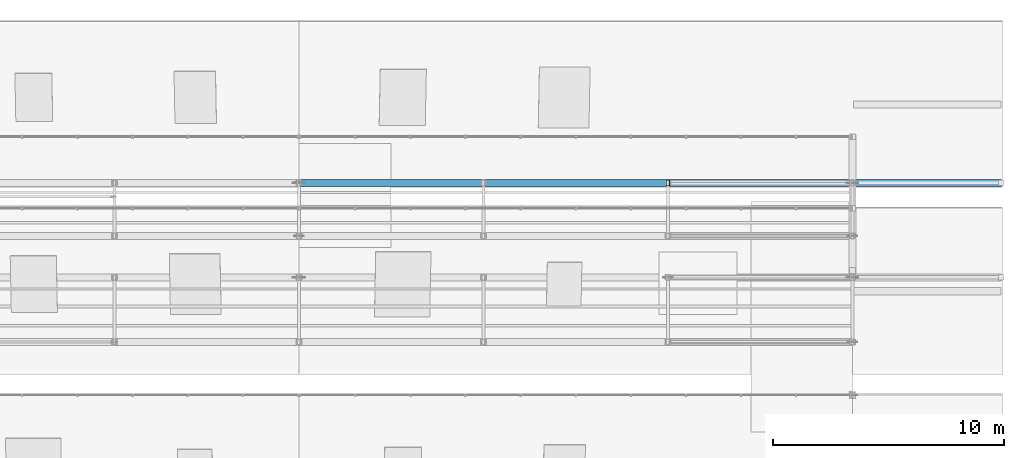
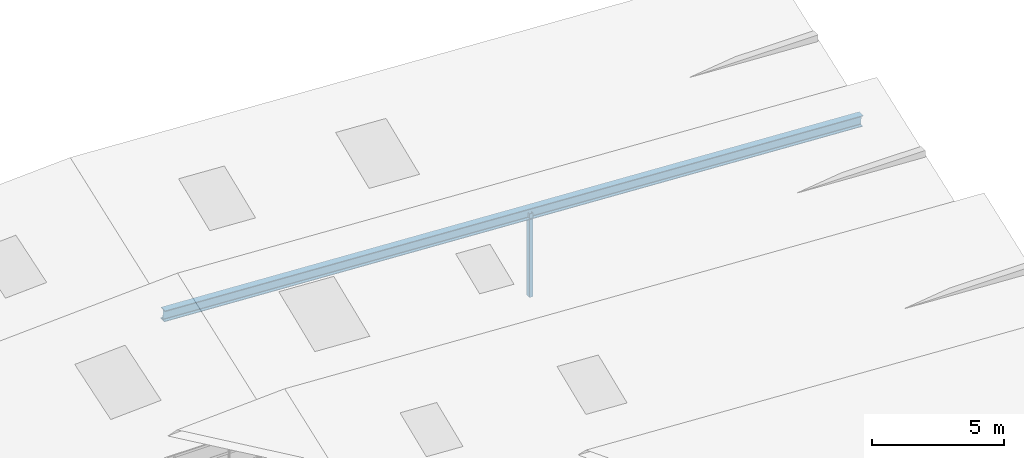
# One storey, part 124 of 141: 2 members.
"""IFC4 building model written with IfcOpenShell, lengths in metres."""

from ifc_helpers import new_model, si_unit, direction, frame, origin, origin_2d, place, context, subcontext, project, spatial, hollow_rectangle, i_section, extrude, material, material_profile, profile_set, type_object, element, save


model = new_model("IFC4")

# Units and contexts
model_context = context("Model", 3, precision=1e-05, world=origin(), true_north=direction((0.0, 1.0)))
body_context = subcontext(model_context, "Body", "Model", "MODEL_VIEW")
ifc_project = project(units=[si_unit("LENGTHUNIT", "METRE"), si_unit("AREAUNIT", "SQUARE_METRE"), si_unit("VOLUMEUNIT", "CUBIC_METRE"), si_unit("PLANEANGLEUNIT", "RADIAN"), si_unit("MASSUNIT", "GRAM", prefix="KILO")], contexts=[model_context])

# Site, building, storey
site_placement = place(None, origin())
site = spatial("IfcSite", under=ifc_project, at=site_placement, CompositionType="ELEMENT")
building_placement = place(site_placement, origin())
building = spatial("IfcBuilding", under=site, at=building_placement, Name="Sundkrona Museum", CompositionType="ELEMENT")
storey_placement = place(building_placement, frame((0.0, 0.0, 34.0)))
storey = spatial("IfcBuildingStorey", under=building, at=storey_placement, Name="RF", CompositionType="ELEMENT", Elevation=34.0)

# Members
ifc_material = material(Name="Steel S355J2", Category="steel")
ifc_material_profile_1 = material_profile(ifc_material, hollow_rectangle(XDim=0.14990234375, YDim=0.25, WallThickness=0.010009765625, at=origin_2d()), Name="RHS 250x150x10.0")
ifc_profile_set_1 = profile_set([ifc_material_profile_1], Name="Steel S355J2")
member_type_1 = type_object("IfcMemberType", Name="ST-RHS250", PredefinedType="STRUT", material=ifc_profile_set_1)
member_1_placement = place(storey_placement, frame((160.0, 43.800048828125, -0.25), z_axis=(0.0, 0.0, 1.0), x_axis=(1.0, 0.0, 0.0)))
element("IfcMember", 1, at=member_1_placement, inside=storey, type_object=member_type_1, Name="RFS-1 Sawtooth Truss 7 Vertical Post 6", PredefinedType="STRUT", context=body_context, shape_type="SweptSolid", body=[
    extrude(hollow_rectangle(XDim=0.14990234375, YDim=0.25, WallThickness=0.010009765625, at=origin_2d()), origin(), (0.0, 0.0, 1.0), 3.85791015625),
])
ifc_material_profile_2 = material_profile(ifc_material, i_section(OverallWidth=0.300048828125, OverallDepth=0.5, WebThickness=0.014404296875, FlangeThickness=0.028076171875, FilletRadius=0.027099609375, at=origin_2d()), Name="HEB 500")
ifc_profile_set_2 = profile_set([ifc_material_profile_2], Name="Steel S355J2")
member_type_2 = type_object("IfcMemberType", Name="TC-HEB500", PredefinedType="CHORD", material=ifc_profile_set_2)
member_2_placement = place(storey_placement, frame((144.0, 43.800048828125, 4.4736328125), z_axis=(0.998540021616, 0.0, -0.054016897652), x_axis=(0.0, 1.0, 0.0)))
element("IfcMember", 2, at=member_2_placement, inside=storey, type_object=member_type_2, Name="RFS-1 Sawtooth Truss 7 East Sloped Top Chord", PredefinedType="CHORD", context=body_context, shape_type="SweptSolid", body=[
    extrude(i_section(OverallWidth=0.300048828125, OverallDepth=0.5, WebThickness=0.014404296875, FlangeThickness=0.028076171875, FilletRadius=0.027099609375, at=origin_2d()), origin(), (0.0, 0.0, 1.0), 30.494384765625),
])

save(model, "model.ifc")
